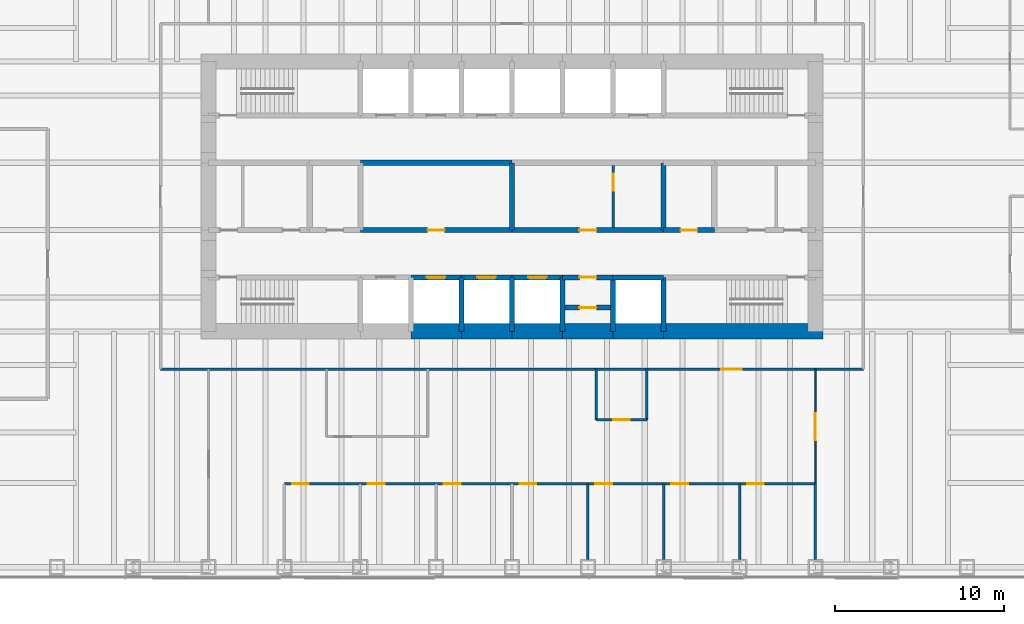
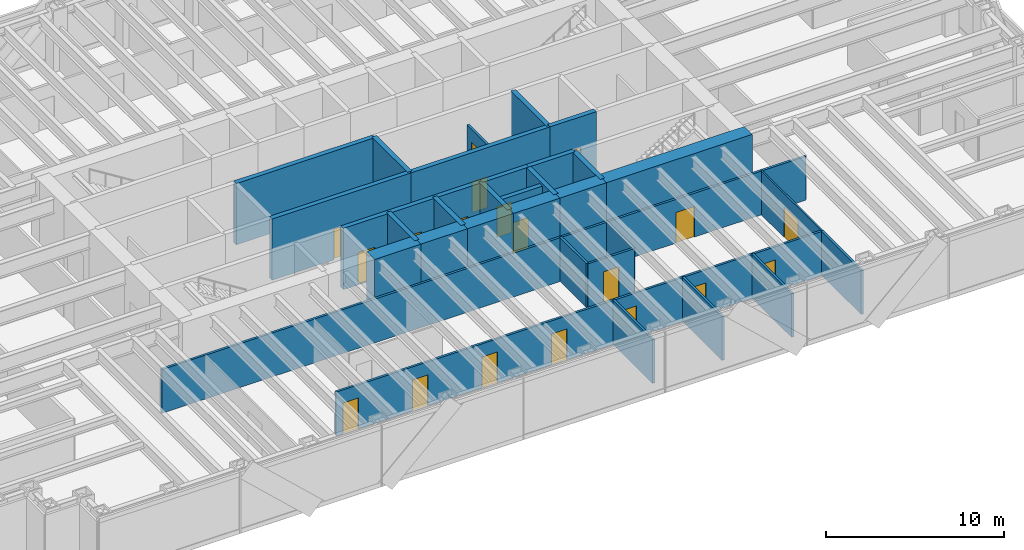
# One storey, part 12 of 16: 34 walls, 19 doors, 19 openings.
"""IFC4 building model written with IfcOpenShell, lengths in metres."""

from ifc_helpers import new_model, si_unit, direction, frame, frame_2d, origin, place, context, subcontext, project, spatial, rectangle, extrude, material, layer, layer_set, type_object, element, fill, save


model = new_model("IFC4")

# Units and contexts
model_context = context("Model", 3, precision=1e-05, world=origin(), true_north=direction((0.0, 1.0)))
body_context = subcontext(model_context, "Body", "Model", "MODEL_VIEW")
ifc_project = project(units=[si_unit("LENGTHUNIT", "METRE"), si_unit("AREAUNIT", "SQUARE_METRE"), si_unit("VOLUMEUNIT", "CUBIC_METRE"), si_unit("PLANEANGLEUNIT", "RADIAN"), si_unit("MASSUNIT", "GRAM", prefix="KILO")], contexts=[model_context])

# Site, building, storey
site_placement = place(None, origin())
site = spatial("IfcSite", under=ifc_project, at=site_placement, CompositionType="ELEMENT")
building_placement = place(site_placement, origin())
building = spatial("IfcBuilding", under=site, at=building_placement, Name="Rheinbord Bourse Tower", CompositionType="ELEMENT")
storey_placement = place(building_placement, frame((0.0, 0.0, 171.89990234375)))
storey = spatial("IfcBuildingStorey", under=building, at=storey_placement, Name="L38", CompositionType="ELEMENT", Elevation=171.89990234375)

# Wall, opening, door
ifc_material_1 = material(Name="Concrete C50/60", Category="concrete")
ifc_layer_1 = layer(ifc_material_1, 0.300048828125)
ifc_layer_set_1 = layer_set([ifc_layer_1], Name="CORE INNER WALL 300")
wall_type_1 = type_object("IfcWallType", Name="CORE INNER WALL 300", PredefinedType="SOLIDWALL", material=ifc_layer_set_1)
wall_1_placement = place(storey_placement, frame((30.0, 19.199951171875, 0.0), z_axis=(0.0, 0.0, 1.0), x_axis=(1.0, 0.0, 0.0)))
wall_1 = element("IfcWall", 1, at=wall_1_placement, inside=storey, type_object=wall_type_1, Name="Core wall A3 L38", PredefinedType="SOLIDWALL", context=body_context, shape_type="SweptSolid", body=[
    extrude(rectangle(XDim=3.0, YDim=0.300048828125, at=frame_2d((1.5, 0.0))), origin(), (0.0, 0.0, 1.0), 4.2001953125),
])
opening_1_placement = place(wall_1_placement, frame((0.949951171875, 0.0, 0.0)))
opening_1 = element("IfcOpeningElement", 2, at=opening_1_placement, cuts=wall_1, Name="Opening PB1", PredefinedType="OPENING", context=body_context, shape_type="SweptSolid", body=[
    extrude(rectangle(XDim=1.10009765625, YDim=2.199951171875, at=frame_2d((0.550048828125, 1.10009765625))), frame((0.0, 0.159912109375, 0.0), z_axis=(0.0, -1.0, 0.0), x_axis=(1.0, 0.0, 0.0)), (0.0, 0.0, 1.0), 0.320068359375),
])
ifc_material_2 = material(Name="Steel landing door", Category="steel")
door_type_1 = type_object("IfcDoorType", Name="LIFT LANDING DOOR 1100", OperationType="DOUBLE_DOOR_SLIDING", PredefinedType="USERDEFINED", material=ifc_material_2)
door_1_placement = place(opening_1_placement, origin())
door_1 = element("IfcDoor", 3, at=door_1_placement, inside=storey, type_object=door_type_1, Name="Lift landing door PB1 L38", ObjectType="LIFT LANDING DOOR", OperationType="DOUBLE_DOOR_SLIDING", OverallHeight=2.199951171875, OverallWidth=1.10009765625, PredefinedType="USERDEFINED", context=body_context, shape_type="SweptSolid", body=[
    extrude(rectangle(XDim=1.10009765625, YDim=2.199951171875, at=frame_2d((0.550048828125, 1.10009765625))), frame((0.0, 0.02490234375, 0.0), z_axis=(0.0, -1.0, 0.0), x_axis=(1.0, 0.0, 0.0)), (0.0, 0.0, 1.0), 0.050048828125),
])
fill(opening_1, door_1)

wall_2_placement = place(storey_placement, frame((33.0, 19.199951171875, 0.0), z_axis=(0.0, 0.0, 1.0), x_axis=(1.0, 0.0, 0.0)))
wall_2 = element("IfcWall", 4, at=wall_2_placement, inside=storey, type_object=wall_type_1, Name="Core wall A4 L38", PredefinedType="SOLIDWALL", context=body_context, shape_type="SweptSolid", body=[
    extrude(rectangle(XDim=3.0, YDim=0.300048828125, at=frame_2d((1.5, 0.0))), origin(), (0.0, 0.0, 1.0), 4.2001953125),
])
opening_2_placement = place(wall_2_placement, frame((0.949951171875, 0.0, 0.0)))
opening_2 = element("IfcOpeningElement", 5, at=opening_2_placement, cuts=wall_2, Name="Opening PB2", PredefinedType="OPENING", context=body_context, shape_type="SweptSolid", body=[
    extrude(rectangle(XDim=1.10009765625, YDim=2.199951171875, at=frame_2d((0.550048828125, 1.10009765625))), frame((0.0, 0.159912109375, 0.0), z_axis=(0.0, -1.0, 0.0), x_axis=(1.0, 0.0, 0.0)), (0.0, 0.0, 1.0), 0.320068359375),
])
door_2_placement = place(opening_2_placement, origin())
door_2 = element("IfcDoor", 6, at=door_2_placement, inside=storey, type_object=door_type_1, Name="Lift landing door PB2 L38", ObjectType="LIFT LANDING DOOR", OperationType="DOUBLE_DOOR_SLIDING", OverallHeight=2.199951171875, OverallWidth=1.10009765625, PredefinedType="USERDEFINED", context=body_context, shape_type="SweptSolid", body=[
    extrude(rectangle(XDim=1.10009765625, YDim=2.199951171875, at=frame_2d((0.550048828125, 1.10009765625))), frame((0.0, 0.02490234375, 0.0), z_axis=(0.0, -1.0, 0.0), x_axis=(1.0, 0.0, 0.0)), (0.0, 0.0, 1.0), 0.050048828125),
])
fill(opening_2, door_2)

wall_3_placement = place(storey_placement, frame((36.0, 19.199951171875, 0.0), z_axis=(0.0, 0.0, 1.0), x_axis=(1.0, 0.0, 0.0)))
wall_3 = element("IfcWall", 7, at=wall_3_placement, inside=storey, type_object=wall_type_1, Name="Core wall A5 L38", PredefinedType="SOLIDWALL", context=body_context, shape_type="SweptSolid", body=[
    extrude(rectangle(XDim=3.0, YDim=0.300048828125, at=frame_2d((1.5, 0.0))), origin(), (0.0, 0.0, 1.0), 4.2001953125),
])
opening_3_placement = place(wall_3_placement, frame((0.949951171875, 0.0, 0.0)))
opening_3 = element("IfcOpeningElement", 8, at=opening_3_placement, cuts=wall_3, Name="Opening PB3", PredefinedType="OPENING", context=body_context, shape_type="SweptSolid", body=[
    extrude(rectangle(XDim=1.10009765625, YDim=2.199951171875, at=frame_2d((0.550048828125, 1.10009765625))), frame((0.0, 0.159912109375, 0.0), z_axis=(0.0, -1.0, 0.0), x_axis=(1.0, 0.0, 0.0)), (0.0, 0.0, 1.0), 0.320068359375),
])
door_3_placement = place(opening_3_placement, origin())
door_3 = element("IfcDoor", 9, at=door_3_placement, inside=storey, type_object=door_type_1, Name="Lift landing door PB3 L38", ObjectType="LIFT LANDING DOOR", OperationType="DOUBLE_DOOR_SLIDING", OverallHeight=2.199951171875, OverallWidth=1.10009765625, PredefinedType="USERDEFINED", context=body_context, shape_type="SweptSolid", body=[
    extrude(rectangle(XDim=1.10009765625, YDim=2.199951171875, at=frame_2d((0.550048828125, 1.10009765625))), frame((0.0, 0.02490234375, 0.0), z_axis=(0.0, -1.0, 0.0), x_axis=(1.0, 0.0, 0.0)), (0.0, 0.0, 1.0), 0.050048828125),
])
fill(opening_3, door_3)

wall_4_placement = place(storey_placement, frame((39.0, 19.199951171875, 0.0), z_axis=(0.0, 0.0, 1.0), x_axis=(1.0, 0.0, 0.0)))
wall_4 = element("IfcWall", 10, at=wall_4_placement, inside=storey, type_object=wall_type_1, Name="Core wall A6 L38", PredefinedType="SOLIDWALL", context=body_context, shape_type="SweptSolid", body=[
    extrude(rectangle(XDim=3.0, YDim=0.300048828125, at=frame_2d((1.5, 0.0))), origin(), (0.0, 0.0, 1.0), 4.2001953125),
])
opening_4_placement = place(wall_4_placement, frame((1.0, 0.0, 0.0)))
opening_4 = element("IfcOpeningElement", 11, at=opening_4_placement, cuts=wall_4, Name="Opening 38R8", PredefinedType="OPENING", context=body_context, shape_type="SweptSolid", body=[
    extrude(rectangle(XDim=1.0, YDim=2.10009765625, at=frame_2d((0.5, 1.050048828125))), frame((0.0, 0.159912109375, 0.0), z_axis=(0.0, -1.0, 0.0), x_axis=(1.0, 0.0, 0.0)), (0.0, 0.0, 1.0), 0.320068359375),
])
ifc_material_3 = material(Name="Steel door", Category="steel")
door_type_2 = type_object("IfcDoorType", Name="DOOR 1000 EI30", OperationType="SINGLE_SWING_LEFT", PredefinedType="DOOR", material=ifc_material_3)
door_4_placement = place(opening_4_placement, origin())
door_4 = element("IfcDoor", 12, at=door_4_placement, inside=storey, type_object=door_type_2, Name="Supplies store door L38", OperationType="SINGLE_SWING_LEFT", OverallHeight=2.10009765625, OverallWidth=1.0, PredefinedType="DOOR", context=body_context, shape_type="SweptSolid", body=[
    extrude(rectangle(XDim=1.0, YDim=2.10009765625, at=frame_2d((0.5, 1.050048828125))), frame((0.0, 0.02490234375, 0.0), z_axis=(0.0, -1.0, 0.0), x_axis=(1.0, 0.0, 0.0)), (0.0, 0.0, 1.0), 0.050048828125),
])
fill(opening_4, door_4)

# Wall
wall_5_placement = place(storey_placement, frame((42.0, 19.199951171875, 0.0), z_axis=(0.0, 0.0, 1.0), x_axis=(1.0, 0.0, 0.0)))
element("IfcWall", 13, at=wall_5_placement, inside=storey, type_object=wall_type_1, Name="Core wall A7 L38", PredefinedType="SOLIDWALL", context=body_context, shape_type="SweptSolid", body=[
    extrude(rectangle(XDim=3.0, YDim=0.300048828125, at=frame_2d((1.5, 0.0))), origin(), (0.0, 0.0, 1.0), 4.2001953125),
])

# Wall, opening, door
wall_6_placement = place(storey_placement, frame((27.0, 22.0, 0.0), z_axis=(0.0, 0.0, 1.0), x_axis=(1.0, 0.0, 0.0)))
wall_6 = element("IfcWall", 14, at=wall_6_placement, inside=storey, type_object=wall_type_1, Name="Core wall C3 L38", PredefinedType="SOLIDWALL", context=body_context, shape_type="SweptSolid", body=[
    extrude(rectangle(XDim=9.0, YDim=0.300048828125, at=frame_2d((4.5, 0.0))), origin(), (0.0, 0.0, 1.0), 4.2001953125),
])
opening_5_placement = place(wall_6_placement, frame((4.0, 0.0, 0.0)))
opening_5 = element("IfcOpeningElement", 15, at=opening_5_placement, cuts=wall_6, Name="Opening 38R3", PredefinedType="OPENING", context=body_context, shape_type="SweptSolid", body=[
    extrude(rectangle(XDim=1.0, YDim=2.10009765625, at=frame_2d((0.5, 1.050048828125))), frame((0.0, 0.159912109375, 0.0), z_axis=(0.0, -1.0, 0.0), x_axis=(1.0, 0.0, 0.0)), (0.0, 0.0, 1.0), 0.320068359375),
])
door_5_placement = place(opening_5_placement, origin())
door_5 = element("IfcDoor", 16, at=door_5_placement, inside=storey, type_object=door_type_2, Name="Riser door L38", OperationType="SINGLE_SWING_LEFT", OverallHeight=2.10009765625, OverallWidth=1.0, PredefinedType="DOOR", context=body_context, shape_type="SweptSolid", body=[
    extrude(rectangle(XDim=1.0, YDim=2.10009765625, at=frame_2d((0.5, 1.050048828125))), frame((0.0, 0.02490234375, 0.0), z_axis=(0.0, -1.0, 0.0), x_axis=(1.0, 0.0, 0.0)), (0.0, 0.0, 1.0), 0.050048828125),
])
fill(opening_5, door_5)

wall_7_placement = place(storey_placement, frame((36.0, 22.0, 0.0), z_axis=(0.0, 0.0, 1.0), x_axis=(1.0, 0.0, 0.0)))
wall_7 = element("IfcWall", 17, at=wall_7_placement, inside=storey, type_object=wall_type_1, Name="Core wall C4 L38", PredefinedType="SOLIDWALL", context=body_context, shape_type="SweptSolid", body=[
    extrude(rectangle(XDim=9.0, YDim=0.300048828125, at=frame_2d((4.5, 0.0))), origin(), (0.0, 0.0, 1.0), 4.2001953125),
])
opening_6_placement = place(wall_7_placement, frame((4.0, 0.0, 0.0)))
opening_6 = element("IfcOpeningElement", 18, at=opening_6_placement, cuts=wall_7, Name="Opening 38R4", PredefinedType="OPENING", context=body_context, shape_type="SweptSolid", body=[
    extrude(rectangle(XDim=1.0, YDim=2.10009765625, at=frame_2d((0.5, 1.050048828125))), frame((0.0, 0.159912109375, 0.0), z_axis=(0.0, -1.0, 0.0), x_axis=(1.0, 0.0, 0.0)), (0.0, 0.0, 1.0), 0.320068359375),
])
door_6_placement = place(opening_6_placement, origin())
door_6 = element("IfcDoor", 19, at=door_6_placement, inside=storey, type_object=door_type_2, Name="IT room door L38", OperationType="SINGLE_SWING_LEFT", OverallHeight=2.10009765625, OverallWidth=1.0, PredefinedType="DOOR", context=body_context, shape_type="SweptSolid", body=[
    extrude(rectangle(XDim=1.0, YDim=2.10009765625, at=frame_2d((0.5, 1.050048828125))), frame((0.0, 0.02490234375, 0.0), z_axis=(0.0, -1.0, 0.0), x_axis=(1.0, 0.0, 0.0)), (0.0, 0.0, 1.0), 0.050048828125),
])
fill(opening_6, door_6)

wall_8_placement = place(storey_placement, frame((45.0, 22.0, 0.0), z_axis=(0.0, 0.0, 1.0), x_axis=(1.0, 0.0, 0.0)))
wall_8 = element("IfcWall", 20, at=wall_8_placement, inside=storey, type_object=wall_type_1, Name="Core wall C5 L38", PredefinedType="SOLIDWALL", context=body_context, shape_type="SweptSolid", body=[
    extrude(rectangle(XDim=3.0, YDim=0.300048828125, at=frame_2d((1.5, 0.0))), origin(), (0.0, 0.0, 1.0), 4.2001953125),
])
opening_7_placement = place(wall_8_placement, frame((1.0, 0.0, 0.0)))
opening_7 = element("IfcOpeningElement", 21, at=opening_7_placement, cuts=wall_8, Name="Opening 38R5", PredefinedType="OPENING", context=body_context, shape_type="SweptSolid", body=[
    extrude(rectangle(XDim=1.0, YDim=2.10009765625, at=frame_2d((0.5, 1.050048828125))), frame((0.0, 0.159912109375, 0.0), z_axis=(0.0, -1.0, 0.0), x_axis=(1.0, 0.0, 0.0)), (0.0, 0.0, 1.0), 0.320068359375),
])
ifc_material_4 = material(Name="Timber door", Category="wood")
door_type_3 = type_object("IfcDoorType", Name="DOOR 1000 WC", OperationType="SINGLE_SWING_LEFT", PredefinedType="DOOR", material=ifc_material_4)
door_7_placement = place(opening_7_placement, origin())
door_7 = element("IfcDoor", 22, at=door_7_placement, inside=storey, type_object=door_type_3, Name="Accessible WC door L38", OperationType="SINGLE_SWING_LEFT", OverallHeight=2.10009765625, OverallWidth=1.0, PredefinedType="DOOR", context=body_context, shape_type="SweptSolid", body=[
    extrude(rectangle(XDim=1.0, YDim=2.10009765625, at=frame_2d((0.5, 1.050048828125))), frame((0.0, 0.02490234375, 0.0), z_axis=(0.0, -1.0, 0.0), x_axis=(1.0, 0.0, 0.0)), (0.0, 0.0, 1.0), 0.050048828125),
])
fill(opening_7, door_7)

# Walls
wall_9_placement = place(storey_placement, frame((27.0, 26.0, 0.0), z_axis=(0.0, 0.0, 1.0), x_axis=(1.0, 0.0, 0.0)))
element("IfcWall", 23, at=wall_9_placement, inside=storey, type_object=wall_type_1, Name="Core wall D3 L38", PredefinedType="SOLIDWALL", context=body_context, shape_type="SweptSolid", body=[
    extrude(rectangle(XDim=9.0, YDim=0.300048828125, at=frame_2d((4.5, 0.0))), origin(), (0.0, 0.0, 1.0), 4.2001953125),
])
for number, where, z_axis, x_axis, name in (
    (24, (33.0, 16.0, 0.0), (0.0, 0.0, 1.0), (0.0, 1.0, 0.0), "Core wall SX33 L38"),
    (25, (36.0, 16.0, 0.0), (0.0, 0.0, 1.0), (0.0, 1.0, 0.0), "Core wall SX36 L38"),
    (26, (39.0, 16.0, 0.0), (0.0, 0.0, 1.0), (0.0, 1.0, 0.0), "Core wall SX39 L38"),
    (27, (42.0, 16.0, 0.0), (0.0, 0.0, 1.0), (0.0, 1.0, 0.0), "Core wall SX42 L38"),
    (28, (45.0, 16.0, 0.0), (0.0, 0.0, 1.0), (0.0, 1.0, 0.0), "Core wall SX45 L38"),
):
    element("IfcWall", number, at=place(storey_placement, frame(where, z_axis=z_axis, x_axis=x_axis)), inside=storey, type_object=wall_type_1, Name=name, PredefinedType="SOLIDWALL", context=body_context, shape_type="SweptSolid", body=[
        extrude(rectangle(XDim=3.199951171875, YDim=0.300048828125, at=frame_2d((1.60009765625, 0.0))), origin(), (0.0, 0.0, 1.0), 4.2001953125),
    ])
for number, where, z_axis, x_axis, name in (
    (29, (36.0, 22.0, 0.0), (0.0, 0.0, 1.0), (0.0, 1.0, 0.0), "Core wall MX36 L38"),
    (30, (45.0, 22.0, 0.0), (0.0, 0.0, 1.0), (0.0, 1.0, 0.0), "Core wall MX45 L38"),
):
    element("IfcWall", number, at=place(storey_placement, frame(where, z_axis=z_axis, x_axis=x_axis)), inside=storey, type_object=wall_type_1, Name=name, PredefinedType="SOLIDWALL", context=body_context, shape_type="SweptSolid", body=[
        extrude(rectangle(XDim=4.0, YDim=0.300048828125, at=frame_2d((2.0, 0.0))), origin(), (0.0, 0.0, 1.0), 4.2001953125),
    ])

# Wall, opening, door
wall_10_placement = place(storey_placement, frame((39.14990234375, 17.39990234375, 0.0), z_axis=(0.0, 0.0, 1.0), x_axis=(1.0, 0.0, 0.0)))
wall_10 = element("IfcWall", 31, at=wall_10_placement, inside=storey, type_object=wall_type_1, Name="Core riser wall L38-6", PredefinedType="SOLIDWALL", context=body_context, shape_type="SweptSolid", body=[
    extrude(rectangle(XDim=2.7001953125, YDim=0.300048828125, at=frame_2d((1.35009765625, 0.0))), origin(), (0.0, 0.0, 1.0), 4.0400390625),
])
opening_8_placement = place(wall_10_placement, frame((0.85009765625, 0.0, 0.0)))
opening_8 = element("IfcOpeningElement", 32, at=opening_8_placement, cuts=wall_10, Name="Opening 38R12", PredefinedType="OPENING", context=body_context, shape_type="SweptSolid", body=[
    extrude(rectangle(XDim=1.0, YDim=2.10009765625, at=frame_2d((0.5, 1.050048828125))), frame((0.0, 0.159912109375, 0.0), z_axis=(0.0, -1.0, 0.0), x_axis=(1.0, 0.0, 0.0)), (0.0, 0.0, 1.0), 0.320068359375),
])
door_8_placement = place(opening_8_placement, origin())
door_8 = element("IfcDoor", 33, at=door_8_placement, inside=storey, type_object=door_type_2, Name="Comms riser door L38", OperationType="SINGLE_SWING_LEFT", OverallHeight=2.10009765625, OverallWidth=1.0, PredefinedType="DOOR", context=body_context, shape_type="SweptSolid", body=[
    extrude(rectangle(XDim=1.0, YDim=2.10009765625, at=frame_2d((0.5, 1.050048828125))), frame((0.0, 0.02490234375, 0.0), z_axis=(0.0, -1.0, 0.0), x_axis=(1.0, 0.0, 0.0)), (0.0, 0.0, 1.0), 0.050048828125),
])
fill(opening_8, door_8)

ifc_material_5 = material(Name="Gypsum board fire partition", Category="gypsum board")
ifc_layer_2 = layer(ifc_material_5, 0.14990234375)
ifc_layer_set_2 = layer_set([ifc_layer_2], Name="CORE PARTITION 150 EI30")
wall_type_2 = type_object("IfcWallType", Name="CORE PARTITION 150 EI30", PredefinedType="PARTITIONING", material=ifc_layer_set_2)
wall_11_placement = place(storey_placement, frame((42.0, 22.14990234375, 0.0), z_axis=(0.0, 0.0, 1.0), x_axis=(0.0, 1.0, 0.0)))
wall_11 = element("IfcWall", 34, at=wall_11_placement, inside=storey, type_object=wall_type_2, Name="Core partition L38-1", PredefinedType="PARTITIONING", context=body_context, shape_type="SweptSolid", body=[
    extrude(rectangle(XDim=3.7001953125, YDim=0.14990234375, at=frame_2d((1.85009765625, 0.0))), origin(), (0.0, 0.0, 1.0), 3.0),
])
opening_9_placement = place(wall_11_placement, frame((2.199951171875, 0.0, 0.0)))
opening_9 = element("IfcOpeningElement", 35, at=opening_9_placement, cuts=wall_11, Name="Opening 38R7", PredefinedType="OPENING", context=body_context, shape_type="SweptSolid", body=[
    extrude(rectangle(XDim=1.0, YDim=2.10009765625, at=frame_2d((0.5, 1.050048828125))), frame((0.0, 0.0849609375, 0.0), z_axis=(0.0, -1.0, 0.0), x_axis=(1.0, 0.0, 0.0)), (0.0, 0.0, 1.0), 0.169921875),
])
door_9_placement = place(opening_9_placement, origin())
door_9 = element("IfcDoor", 36, at=door_9_placement, inside=storey, type_object=door_type_2, Name="Store door L38", OperationType="SINGLE_SWING_RIGHT", OverallHeight=2.10009765625, OverallWidth=1.0, PredefinedType="DOOR", context=body_context, shape_type="SweptSolid", body=[
    extrude(rectangle(XDim=1.0, YDim=2.10009765625, at=frame_2d((0.5, 1.050048828125))), frame((0.0, 0.02490234375, 0.0), z_axis=(0.0, -1.0, 0.0), x_axis=(1.0, 0.0, 0.0)), (0.0, 0.0, 1.0), 0.050048828125),
])
fill(opening_9, door_9)

# Walls
ifc_material_6 = material(Name="Concrete C50/60", Category="concrete")
ifc_layer_3 = layer(ifc_material_6, 0.89990234375)
ifc_layer_set_3 = layer_set([ifc_layer_3], Name="CORE WALL 900")
wall_type_3 = type_object("IfcWallType", Name="CORE WALL 900", PredefinedType="SHEAR", material=ifc_layer_set_3)
for number, where, z_axis, x_axis, name in (
    (37, (30.0, 16.0, 0.0), (0.0, 0.0, 1.0), (1.0, 0.0, 0.0), "Core wall S3 L38"),
    (38, (33.0, 16.0, 0.0), (0.0, 0.0, 1.0), (1.0, 0.0, 0.0), "Core wall S4 L38"),
    (39, (36.0, 16.0, 0.0), (0.0, 0.0, 1.0), (1.0, 0.0, 0.0), "Core wall S5 L38"),
    (40, (39.0, 16.0, 0.0), (0.0, 0.0, 1.0), (1.0, 0.0, 0.0), "Core wall S6 L38"),
    (41, (42.0, 16.0, 0.0), (0.0, 0.0, 1.0), (1.0, 0.0, 0.0), "Core wall S7 L38"),
):
    element("IfcWall", number, at=place(storey_placement, frame(where, z_axis=z_axis, x_axis=x_axis)), inside=storey, type_object=wall_type_3, Name=name, PredefinedType="SHEAR", context=body_context, shape_type="SweptSolid", body=[
        extrude(rectangle(XDim=3.0, YDim=0.89990234375, at=frame_2d((1.5, 0.0))), origin(), (0.0, 0.0, 1.0), 4.2001953125),
    ])
wall_12_placement = place(storey_placement, frame((45.0, 16.0, 0.0), z_axis=(0.0, 0.0, 1.0), x_axis=(1.0, 0.0, 0.0)))
element("IfcWall", 42, at=wall_12_placement, inside=storey, type_object=wall_type_3, Name="Core wall S8 L38", PredefinedType="SHEAR", context=body_context, shape_type="SweptSolid", body=[
    extrude(rectangle(XDim=9.449951171875, YDim=0.89990234375, at=frame_2d((4.72509765625, 0.0))), origin(), (0.0, 0.0, 1.0), 4.2001953125),
])

# Wall, opening, door
ifc_material_7 = material(Name="Gypsum board corridor partition", Category="gypsum board")
ifc_layer_4 = layer(ifc_material_7, 0.14990234375)
ifc_layer_set_4 = layer_set([ifc_layer_4], Name="CORRIDOR PARTITION 150 EI30")
wall_type_4 = type_object("IfcWallType", Name="CORRIDOR PARTITION 150 EI30", PredefinedType="PARTITIONING", material=ifc_layer_set_4)
wall_13_placement = place(storey_placement, frame((15.14990234375, 13.75, 0.0), z_axis=(0.0, 0.0, 1.0), x_axis=(1.0, 0.0, 0.0)))
wall_13 = element("IfcWall", 43, at=wall_13_placement, inside=storey, type_object=wall_type_4, Name="Partition L38-06", PredefinedType="PARTITIONING", context=body_context, shape_type="SweptSolid", body=[
    extrude(rectangle(XDim=41.7001953125, YDim=0.14990234375, at=frame_2d((20.85009765625, 0.0))), origin(), (0.0, 0.0, 1.0), 3.0),
])
opening_10_placement = place(wall_13_placement, frame((33.27490234375, 0.0, 0.0)))
opening_10 = element("IfcOpeningElement", 44, at=opening_10_placement, cuts=wall_13, Name="Opening 38D32", PredefinedType="OPENING", context=body_context, shape_type="SweptSolid", body=[
    extrude(rectangle(XDim=1.199951171875, YDim=2.10009765625, at=frame_2d((0.60009765625, 1.050048828125))), frame((0.0, 0.0849609375, 0.0), z_axis=(0.0, -1.0, 0.0), x_axis=(1.0, 0.0, 0.0)), (0.0, 0.0, 1.0), 0.169921875),
])
ifc_material_8 = material(Name="Timber fire door", Category="wood")
door_type_4 = type_object("IfcDoorType", Name="SUITE ENTRANCE DOOR 1200 EI30", OperationType="SINGLE_SWING_LEFT", PredefinedType="DOOR", material=ifc_material_8)
door_10_placement = place(opening_10_placement, origin())
door_10 = element("IfcDoor", 45, at=door_10_placement, inside=storey, type_object=door_type_4, Name="Suite entrance 3 door L38", OperationType="SINGLE_SWING_RIGHT", OverallHeight=2.10009765625, OverallWidth=1.199951171875, PredefinedType="DOOR", context=body_context, shape_type="SweptSolid", body=[
    extrude(rectangle(XDim=1.199951171875, YDim=2.10009765625, at=frame_2d((0.60009765625, 1.050048828125))), frame((0.0, 0.02490234375, 0.0), z_axis=(0.0, -1.0, 0.0), x_axis=(1.0, 0.0, 0.0)), (0.0, 0.0, 1.0), 0.050048828125),
])
fill(opening_10, door_10)

ifc_material_9 = material(Name="Toughened laminated glass partition", Category="glass")
ifc_layer_5 = layer(ifc_material_9, 0.10009765625)
ifc_layer_set_5 = layer_set([ifc_layer_5], Name="GLAZED PARTITION 100")
wall_type_5 = type_object("IfcWallType", Name="GLAZED PARTITION 100", PredefinedType="PARTITIONING", material=ifc_layer_set_5)
wall_14_placement = place(storey_placement, frame((54.0, 6.949951171875, 0.0), z_axis=(0.0, 0.0, 1.0), x_axis=(0.0, 1.0, 0.0)))
wall_14 = element("IfcWall", 46, at=wall_14_placement, inside=storey, type_object=wall_type_5, Name="Partition L38-41", PredefinedType="PARTITIONING", context=body_context, shape_type="SweptSolid", body=[
    extrude(rectangle(XDim=6.800048828125, YDim=0.10009765625, at=frame_2d((3.39990234375, 0.0))), origin(), (0.0, 0.0, 1.0), 3.0),
])
opening_11_placement = place(wall_14_placement, frame((2.60009765625, 0.0, 0.0)))
opening_11 = element("IfcOpeningElement", 47, at=opening_11_placement, cuts=wall_14, Name="Opening 38D28", PredefinedType="OPENING", context=body_context, shape_type="SweptSolid", body=[
    extrude(rectangle(XDim=1.60009765625, YDim=2.10009765625, at=frame_2d((0.800048828125, 1.050048828125))), frame((0.0, 0.06005859375, 0.0), z_axis=(0.0, -1.0, 0.0), x_axis=(1.0, 0.0, 0.0)), (0.0, 0.0, 1.0), 0.1201171875),
])
ifc_material_10 = material(Name="Timber door", Category="wood")
door_type_5 = type_object("IfcDoorType", Name="DOUBLE ROOM DOOR 1600", OperationType="DOUBLE_DOOR_DOUBLE_SWING", PredefinedType="DOOR", material=ifc_material_10)
door_11_placement = place(opening_11_placement, origin())
door_11 = element("IfcDoor", 48, at=door_11_placement, inside=storey, type_object=door_type_5, Name="Open area door L38", OperationType="SINGLE_SWING_LEFT", OverallHeight=2.10009765625, OverallWidth=1.60009765625, PredefinedType="DOOR", context=body_context, shape_type="SweptSolid", body=[
    extrude(rectangle(XDim=1.60009765625, YDim=2.10009765625, at=frame_2d((0.800048828125, 1.050048828125))), frame((0.0, 0.02490234375, 0.0), z_axis=(0.0, -1.0, 0.0), x_axis=(1.0, 0.0, 0.0)), (0.0, 0.0, 1.0), 0.050048828125),
])
fill(opening_11, door_11)

# Wall, openings, doors
ifc_material_11 = material(Name="Gypsum board partition", Category="gypsum board")
ifc_layer_6 = layer(ifc_material_11, 0.14990234375)
ifc_layer_set_6 = layer_set([ifc_layer_6], Name="PARTITION 150")
wall_type_6 = type_object("IfcWallType", Name="PARTITION 150", PredefinedType="PARTITIONING", material=ifc_layer_set_6)
wall_15_placement = place(storey_placement, frame((22.5, 6.949951171875, 0.0), z_axis=(0.0, 0.0, 1.0), x_axis=(1.0, 0.0, 0.0)))
wall_15 = element("IfcWall", 49, at=wall_15_placement, inside=storey, type_object=wall_type_6, Name="Partition L38-01", PredefinedType="PARTITIONING", context=body_context, shape_type="SweptSolid", body=[
    extrude(rectangle(XDim=31.5, YDim=0.14990234375, at=frame_2d((15.75, 0.0))), origin(), (0.0, 0.0, 1.0), 3.0),
])
opening_12_placement = place(wall_15_placement, frame((0.449951171875, 0.0, 0.0)))
opening_12 = element("IfcOpeningElement", 50, at=opening_12_placement, cuts=wall_15, Name="Opening 38D01", PredefinedType="OPENING", context=body_context, shape_type="SweptSolid", body=[
    extrude(rectangle(XDim=1.0, YDim=2.10009765625, at=frame_2d((0.5, 1.050048828125))), frame((0.0, 0.0849609375, 0.0), z_axis=(0.0, -1.0, 0.0), x_axis=(1.0, 0.0, 0.0)), (0.0, 0.0, 1.0), 0.169921875),
])
opening_13_placement = place(wall_15_placement, frame((4.949951171875, 0.0, 0.0)))
opening_13 = element("IfcOpeningElement", 51, at=opening_13_placement, cuts=wall_15, Name="Opening 38D02", PredefinedType="OPENING", context=body_context, shape_type="SweptSolid", body=[
    extrude(rectangle(XDim=1.0, YDim=2.10009765625, at=frame_2d((0.5, 1.050048828125))), frame((0.0, 0.0849609375, 0.0), z_axis=(0.0, -1.0, 0.0), x_axis=(1.0, 0.0, 0.0)), (0.0, 0.0, 1.0), 0.169921875),
])
opening_14_placement = place(wall_15_placement, frame((9.449951171875, 0.0, 0.0)))
opening_14 = element("IfcOpeningElement", 52, at=opening_14_placement, cuts=wall_15, Name="Opening 38D03", PredefinedType="OPENING", context=body_context, shape_type="SweptSolid", body=[
    extrude(rectangle(XDim=1.0, YDim=2.10009765625, at=frame_2d((0.5, 1.050048828125))), frame((0.0, 0.0849609375, 0.0), z_axis=(0.0, -1.0, 0.0), x_axis=(1.0, 0.0, 0.0)), (0.0, 0.0, 1.0), 0.169921875),
])
opening_15_placement = place(wall_15_placement, frame((13.949951171875, 0.0, 0.0)))
opening_15 = element("IfcOpeningElement", 53, at=opening_15_placement, cuts=wall_15, Name="Opening 38D04", PredefinedType="OPENING", context=body_context, shape_type="SweptSolid", body=[
    extrude(rectangle(XDim=1.0, YDim=2.10009765625, at=frame_2d((0.5, 1.050048828125))), frame((0.0, 0.0849609375, 0.0), z_axis=(0.0, -1.0, 0.0), x_axis=(1.0, 0.0, 0.0)), (0.0, 0.0, 1.0), 0.169921875),
])
opening_16_placement = place(wall_15_placement, frame((18.449951171875, 0.0, 0.0)))
opening_16 = element("IfcOpeningElement", 54, at=opening_16_placement, cuts=wall_15, Name="Opening 38D05", PredefinedType="OPENING", context=body_context, shape_type="SweptSolid", body=[
    extrude(rectangle(XDim=1.0, YDim=2.10009765625, at=frame_2d((0.5, 1.050048828125))), frame((0.0, 0.0849609375, 0.0), z_axis=(0.0, -1.0, 0.0), x_axis=(1.0, 0.0, 0.0)), (0.0, 0.0, 1.0), 0.169921875),
])
opening_17_placement = place(wall_15_placement, frame((22.949951171875, 0.0, 0.0)))
opening_17 = element("IfcOpeningElement", 55, at=opening_17_placement, cuts=wall_15, Name="Opening 38D06", PredefinedType="OPENING", context=body_context, shape_type="SweptSolid", body=[
    extrude(rectangle(XDim=1.0, YDim=2.10009765625, at=frame_2d((0.5, 1.050048828125))), frame((0.0, 0.0849609375, 0.0), z_axis=(0.0, -1.0, 0.0), x_axis=(1.0, 0.0, 0.0)), (0.0, 0.0, 1.0), 0.169921875),
])
opening_18_placement = place(wall_15_placement, frame((27.449951171875, 0.0, 0.0)))
opening_18 = element("IfcOpeningElement", 56, at=opening_18_placement, cuts=wall_15, Name="Opening 38D07", PredefinedType="OPENING", context=body_context, shape_type="SweptSolid", body=[
    extrude(rectangle(XDim=1.0, YDim=2.10009765625, at=frame_2d((0.5, 1.050048828125))), frame((0.0, 0.0849609375, 0.0), z_axis=(0.0, -1.0, 0.0), x_axis=(1.0, 0.0, 0.0)), (0.0, 0.0, 1.0), 0.169921875),
])
ifc_material_12 = material(Name="Timber door", Category="wood")
door_type_6 = type_object("IfcDoorType", Name="ROOM DOOR 1000", OperationType="SINGLE_SWING_LEFT", PredefinedType="DOOR", material=ifc_material_12)
door_12_placement = place(opening_12_placement, origin())
door_12 = element("IfcDoor", 57, at=door_12_placement, inside=storey, type_object=door_type_6, Name="Office door L38", OperationType="SINGLE_SWING_LEFT", OverallHeight=2.10009765625, OverallWidth=1.0, PredefinedType="DOOR", context=body_context, shape_type="SweptSolid", body=[
    extrude(rectangle(XDim=1.0, YDim=2.10009765625, at=frame_2d((0.5, 1.050048828125))), frame((0.0, 0.02490234375, 0.0), z_axis=(0.0, -1.0, 0.0), x_axis=(1.0, 0.0, 0.0)), (0.0, 0.0, 1.0), 0.050048828125),
])
fill(opening_12, door_12)
door_13_placement = place(opening_13_placement, origin())
door_13 = element("IfcDoor", 58, at=door_13_placement, inside=storey, type_object=door_type_6, Name="Office door L38", OperationType="SINGLE_SWING_LEFT", OverallHeight=2.10009765625, OverallWidth=1.0, PredefinedType="DOOR", context=body_context, shape_type="SweptSolid", body=[
    extrude(rectangle(XDim=1.0, YDim=2.10009765625, at=frame_2d((0.5, 1.050048828125))), frame((0.0, 0.02490234375, 0.0), z_axis=(0.0, -1.0, 0.0), x_axis=(1.0, 0.0, 0.0)), (0.0, 0.0, 1.0), 0.050048828125),
])
fill(opening_13, door_13)
door_14_placement = place(opening_14_placement, origin())
door_14 = element("IfcDoor", 59, at=door_14_placement, inside=storey, type_object=door_type_6, Name="Office door L38", OperationType="SINGLE_SWING_LEFT", OverallHeight=2.10009765625, OverallWidth=1.0, PredefinedType="DOOR", context=body_context, shape_type="SweptSolid", body=[
    extrude(rectangle(XDim=1.0, YDim=2.10009765625, at=frame_2d((0.5, 1.050048828125))), frame((0.0, 0.02490234375, 0.0), z_axis=(0.0, -1.0, 0.0), x_axis=(1.0, 0.0, 0.0)), (0.0, 0.0, 1.0), 0.050048828125),
])
fill(opening_14, door_14)
door_15_placement = place(opening_15_placement, origin())
door_15 = element("IfcDoor", 60, at=door_15_placement, inside=storey, type_object=door_type_6, Name="Office door L38", OperationType="SINGLE_SWING_LEFT", OverallHeight=2.10009765625, OverallWidth=1.0, PredefinedType="DOOR", context=body_context, shape_type="SweptSolid", body=[
    extrude(rectangle(XDim=1.0, YDim=2.10009765625, at=frame_2d((0.5, 1.050048828125))), frame((0.0, 0.02490234375, 0.0), z_axis=(0.0, -1.0, 0.0), x_axis=(1.0, 0.0, 0.0)), (0.0, 0.0, 1.0), 0.050048828125),
])
fill(opening_15, door_15)
door_16_placement = place(opening_16_placement, origin())
door_16 = element("IfcDoor", 61, at=door_16_placement, inside=storey, type_object=door_type_6, Name="Office door L38", OperationType="SINGLE_SWING_RIGHT", OverallHeight=2.10009765625, OverallWidth=1.0, PredefinedType="DOOR", context=body_context, shape_type="SweptSolid", body=[
    extrude(rectangle(XDim=1.0, YDim=2.10009765625, at=frame_2d((0.5, 1.050048828125))), frame((0.0, 0.02490234375, 0.0), z_axis=(0.0, -1.0, 0.0), x_axis=(1.0, 0.0, 0.0)), (0.0, 0.0, 1.0), 0.050048828125),
])
fill(opening_16, door_16)
door_17_placement = place(opening_17_placement, origin())
door_17 = element("IfcDoor", 62, at=door_17_placement, inside=storey, type_object=door_type_6, Name="Office door L38", OperationType="SINGLE_SWING_RIGHT", OverallHeight=2.10009765625, OverallWidth=1.0, PredefinedType="DOOR", context=body_context, shape_type="SweptSolid", body=[
    extrude(rectangle(XDim=1.0, YDim=2.10009765625, at=frame_2d((0.5, 1.050048828125))), frame((0.0, 0.02490234375, 0.0), z_axis=(0.0, -1.0, 0.0), x_axis=(1.0, 0.0, 0.0)), (0.0, 0.0, 1.0), 0.050048828125),
])
fill(opening_17, door_17)
door_18_placement = place(opening_18_placement, origin())
door_18 = element("IfcDoor", 63, at=door_18_placement, inside=storey, type_object=door_type_6, Name="Pantry door L38", OperationType="SINGLE_SWING_RIGHT", OverallHeight=2.10009765625, OverallWidth=1.0, PredefinedType="DOOR", context=body_context, shape_type="SweptSolid", body=[
    extrude(rectangle(XDim=1.0, YDim=2.10009765625, at=frame_2d((0.5, 1.050048828125))), frame((0.0, 0.02490234375, 0.0), z_axis=(0.0, -1.0, 0.0), x_axis=(1.0, 0.0, 0.0)), (0.0, 0.0, 1.0), 0.050048828125),
])
fill(opening_18, door_18)

# Wall, opening, door
wall_16_placement = place(storey_placement, frame((41.0, 10.75, 0.0), z_axis=(0.0, 0.0, 1.0), x_axis=(1.0, 0.0, 0.0)))
wall_16 = element("IfcWall", 64, at=wall_16_placement, inside=storey, type_object=wall_type_6, Name="Partition L38-03", PredefinedType="PARTITIONING", context=body_context, shape_type="SweptSolid", body=[
    extrude(rectangle(XDim=3.0, YDim=0.14990234375, at=frame_2d((1.5, 0.0))), origin(), (0.0, 0.0, 1.0), 3.0),
])
opening_19_placement = place(wall_16_placement, frame((1.0, 0.0, 0.0)))
opening_19 = element("IfcOpeningElement", 65, at=opening_19_placement, cuts=wall_16, Name="Opening 38D09", PredefinedType="OPENING", context=body_context, shape_type="SweptSolid", body=[
    extrude(rectangle(XDim=1.0, YDim=2.10009765625, at=frame_2d((0.5, 1.050048828125))), frame((0.0, 0.0849609375, 0.0), z_axis=(0.0, -1.0, 0.0), x_axis=(1.0, 0.0, 0.0)), (0.0, 0.0, 1.0), 0.169921875),
])
door_19_placement = place(opening_19_placement, origin())
door_19 = element("IfcDoor", 66, at=door_19_placement, inside=storey, type_object=door_type_6, Name="Print room door L38", OperationType="SINGLE_SWING_LEFT", OverallHeight=2.10009765625, OverallWidth=1.0, PredefinedType="DOOR", context=body_context, shape_type="SweptSolid", body=[
    extrude(rectangle(XDim=1.0, YDim=2.10009765625, at=frame_2d((0.5, 1.050048828125))), frame((0.0, 0.02490234375, 0.0), z_axis=(0.0, -1.0, 0.0), x_axis=(1.0, 0.0, 0.0)), (0.0, 0.0, 1.0), 0.050048828125),
])
fill(opening_19, door_19)

# Walls
wall_17_placement = place(storey_placement, frame((40.5, 2.449951171875, 0.0), z_axis=(0.0, 0.0, 1.0), x_axis=(0.0, 1.0, 0.0)))
element("IfcWall", 67, at=wall_17_placement, inside=storey, type_object=wall_type_6, Name="Partition L38-32", PredefinedType="PARTITIONING", context=body_context, shape_type="SweptSolid", body=[
    extrude(rectangle(XDim=4.5, YDim=0.14990234375, at=frame_2d((2.25, 0.0))), origin(), (0.0, 0.0, 1.0), 3.0),
])
for number, where, z_axis, x_axis, name in (
    (68, (41.0, 10.75, 0.0), (0.0, 0.0, 1.0), (0.0, 1.0, 0.0), "Partition L38-34"),
    (69, (44.0, 10.75, 0.0), (0.0, 0.0, 1.0), (0.0, 1.0, 0.0), "Partition L38-35"),
):
    element("IfcWall", number, at=place(storey_placement, frame(where, z_axis=z_axis, x_axis=x_axis)), inside=storey, type_object=wall_type_6, Name=name, PredefinedType="PARTITIONING", context=body_context, shape_type="SweptSolid", body=[
        extrude(rectangle(XDim=3.0, YDim=0.14990234375, at=frame_2d((1.5, 0.0))), origin(), (0.0, 0.0, 1.0), 3.0),
    ])
for number, where, z_axis, x_axis, name in (
    (70, (45.0, 2.449951171875, 0.0), (0.0, 0.0, 1.0), (0.0, 1.0, 0.0), "Partition L38-36"),
    (71, (49.5, 2.449951171875, 0.0), (0.0, 0.0, 1.0), (0.0, 1.0, 0.0), "Partition L38-38"),
    (72, (54.0, 2.449951171875, 0.0), (0.0, 0.0, 1.0), (0.0, 1.0, 0.0), "Partition L38-40"),
):
    element("IfcWall", number, at=place(storey_placement, frame(where, z_axis=z_axis, x_axis=x_axis)), inside=storey, type_object=wall_type_6, Name=name, PredefinedType="PARTITIONING", context=body_context, shape_type="SweptSolid", body=[
        extrude(rectangle(XDim=4.5, YDim=0.14990234375, at=frame_2d((2.25, 0.0))), origin(), (0.0, 0.0, 1.0), 3.0),
    ])

save(model, "model.ifc")
